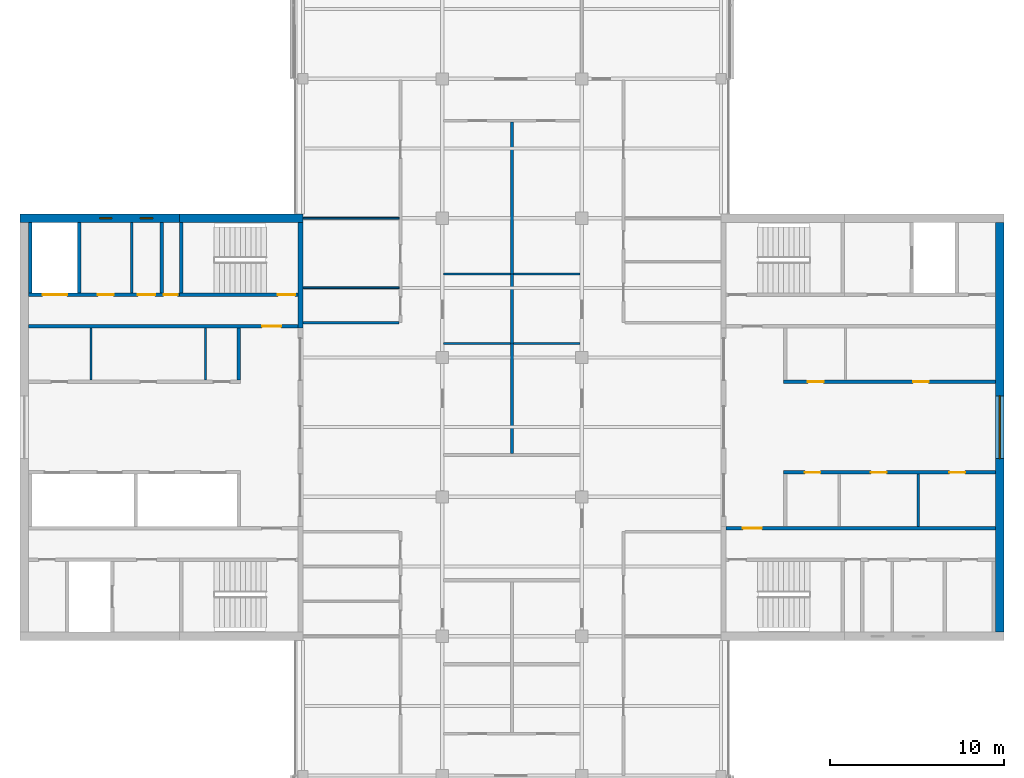
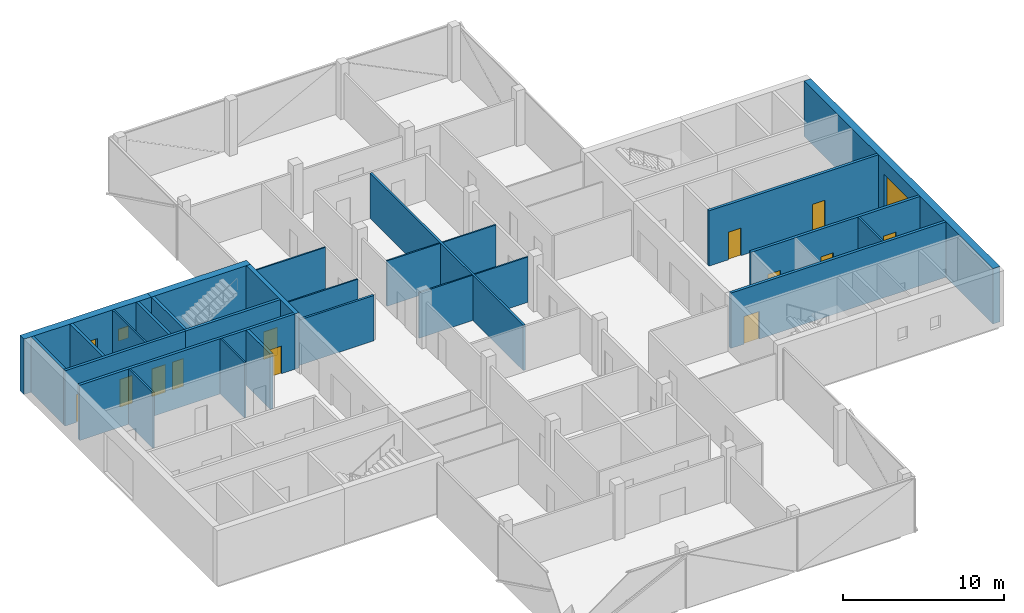
# One storey, part 11 of 16: 27 walls, 12 doors, 3 windows, 15 openings.
"""IFC4 building model written with IfcOpenShell, lengths in metres."""

from ifc_helpers import new_model, si_unit, direction, frame, frame_2d, origin, place, context, subcontext, project, spatial, rectangle, extrude, material, layer, layer_set, constituent, constituent_set, type_object, element, fill, save


model = new_model("IFC4")

# Units and contexts
model_context = context("Model", 3, precision=1e-05, world=origin(), true_north=direction((0.0, 1.0)))
body_context = subcontext(model_context, "Body", "Model", "MODEL_VIEW")
ifc_project = project(units=[si_unit("LENGTHUNIT", "METRE"), si_unit("AREAUNIT", "SQUARE_METRE"), si_unit("VOLUMEUNIT", "CUBIC_METRE"), si_unit("PLANEANGLEUNIT", "RADIAN"), si_unit("MASSUNIT", "GRAM", prefix="KILO")], contexts=[model_context])

# Site, building, storey
site_placement = place(None, origin())
site = spatial("IfcSite", under=ifc_project, at=site_placement, CompositionType="ELEMENT")
building_placement = place(site_placement, origin())
building = spatial("IfcBuilding", under=site, at=building_placement, Name="Crosswind Convention Tower", CompositionType="ELEMENT")
storey_placement = place(building_placement, frame((0.0, 0.0, 270.300048828125)))
storey = spatial("IfcBuildingStorey", under=building, at=storey_placement, Name="L58", CompositionType="ELEMENT", Elevation=270.300048828125)

# Walls
ifc_material_1 = material(Name="Concrete blockwork", Category="masonry")
ifc_layer_1 = layer(ifc_material_1, 0.199951171875)
ifc_layer_set_1 = layer_set([ifc_layer_1], Name="Blockwork partition wall 200")
wall_type_1 = type_object("IfcWallType", Name="Blockwork partition wall 200", PredefinedType="PARTITIONING", material=ifc_layer_set_1)
wall_1_placement = place(storey_placement, frame((104.89990234375, 111.75, 0.0), z_axis=(0.0, 0.0, 1.0), x_axis=(0.0, -1.0, 0.0)))
element("IfcWall", 1, at=wall_1_placement, inside=storey, type_object=wall_type_1, Name="Wall MRSE W L58", PredefinedType="PARTITIONING", context=body_context, shape_type="SweptSolid", body=[
    extrude(rectangle(XDim=4.050048828125, YDim=0.199951171875, at=frame_2d((2.02490234375, 0.0))), origin(), (0.0, 0.0, 1.0), 4.199951171875),
])
ifc_material_2 = material(Name="Concrete C50/60", Category="concrete")
ifc_layer_2 = layer(ifc_material_2, 0.300048828125)
ifc_layer_set_2 = layer_set([ifc_layer_2], Name="Concrete C50/60")
wall_type_2 = type_object("IfcWallType", Name="Concrete inner core wall 300", PredefinedType="SHEAR", material=ifc_layer_set_2)
wall_2_placement = place(storey_placement, frame((112.85009765625, 111.75, 0.0), z_axis=(0.0, 0.0, 1.0), x_axis=(0.0, -1.0, 0.0)))
element("IfcWall", 2, at=wall_2_placement, inside=storey, type_object=wall_type_2, Name="Wall EM W L58", PredefinedType="SHEAR", context=body_context, shape_type="SweptSolid", body=[
    extrude(rectangle(XDim=6.050048828125, YDim=0.300048828125, at=frame_2d((3.02490234375, 0.0))), origin(), (0.0, 0.0, 1.0), 4.199951171875),
])

# Wall, openings, doors
ifc_layer_3 = layer(ifc_material_2, 0.199951171875)
ifc_layer_set_3 = layer_set([ifc_layer_3], Name="Concrete C50/60")
wall_type_3 = type_object("IfcWallType", Name="Concrete shaft and stair wall 200", PredefinedType="SHEAR", material=ifc_layer_set_3)
wall_3_placement = place(storey_placement, frame((140.60009765625, 102.60009765625, 0.0), z_axis=(0.0, 0.0, 1.0), x_axis=(1.0, 0.0, 0.0)))
wall_3 = element("IfcWall", 3, at=wall_3_placement, inside=storey, type_object=wall_type_3, Name="Wall RPFRONT E L58", PredefinedType="SHEAR", context=body_context, shape_type="SweptSolid", body=[
    extrude(rectangle(XDim=12.14990234375, YDim=0.199951171875, at=frame_2d((6.074951171875, 0.0))), origin(), (0.0, 0.0, 1.0), 4.199951171875),
])
opening_1_placement = place(wall_3_placement, frame((1.391845703125, 0.0, 0.0)))
opening_1 = element("IfcOpeningElement", 4, at=opening_1_placement, cuts=wall_3, Name="Opening D106", PredefinedType="OPENING", context=body_context, shape_type="SweptSolid", body=[
    extrude(rectangle(XDim=0.89990234375, YDim=2.10009765625, at=frame_2d((0.449951171875, 1.050048828125))), frame((0.0, 0.10986328125, 0.0), z_axis=(0.0, -1.0, 0.0), x_axis=(1.0, 0.0, 0.0)), (0.0, 0.0, 1.0), 0.219970703125),
])
opening_2_placement = place(wall_3_placement, frame((7.42919921875, 0.0, 0.0)))
opening_2 = element("IfcOpeningElement", 5, at=opening_2_placement, cuts=wall_3, Name="Opening D106", PredefinedType="OPENING", context=body_context, shape_type="SweptSolid", body=[
    extrude(rectangle(XDim=0.89990234375, YDim=2.10009765625, at=frame_2d((0.449951171875, 1.050048828125))), frame((0.0, 0.10986328125, 0.0), z_axis=(0.0, -1.0, 0.0), x_axis=(1.0, 0.0, 0.0)), (0.0, 0.0, 1.0), 0.219970703125),
])
ifc_material_3 = material(Name="Timber door", Category="wood")
door_type_1 = type_object("IfcDoorType", Name="Single leaf door 900x2100", OperationType="NOTDEFINED", PredefinedType="DOOR", material=ifc_material_3)
door_1_placement = place(opening_1_placement, origin())
door_1 = element("IfcDoor", 6, at=door_1_placement, inside=storey, type_object=door_type_1, Name="Door to tenant services room L58", ObjectType="D106", OperationType="SINGLE_SWING_RIGHT", OverallHeight=2.10009765625, OverallWidth=0.89990234375, PredefinedType="DOOR", context=body_context, shape_type="SweptSolid", body=[
    extrude(rectangle(XDim=0.89990234375, YDim=2.10009765625, at=frame_2d((0.449951171875, 1.050048828125))), frame((0.0, 0.02490234375, 0.0), z_axis=(0.0, -1.0, 0.0), x_axis=(1.0, 0.0, 0.0)), (0.0, 0.0, 1.0), 0.050048828125),
])
fill(opening_1, door_1)
door_2_placement = place(opening_2_placement, origin())
door_2 = element("IfcDoor", 7, at=door_2_placement, inside=storey, type_object=door_type_1, Name="Door to copy and print room L58", ObjectType="D106", OperationType="SINGLE_SWING_RIGHT", OverallHeight=2.10009765625, OverallWidth=0.89990234375, PredefinedType="DOOR", context=body_context, shape_type="SweptSolid", body=[
    extrude(rectangle(XDim=0.89990234375, YDim=2.10009765625, at=frame_2d((0.449951171875, 1.050048828125))), frame((0.0, 0.02490234375, 0.0), z_axis=(0.0, -1.0, 0.0), x_axis=(1.0, 0.0, 0.0)), (0.0, 0.0, 1.0), 0.050048828125),
])
fill(opening_2, door_2)

wall_4_placement = place(storey_placement, frame((140.60009765625, 97.39990234375, 0.0), z_axis=(0.0, 0.0, 1.0), x_axis=(1.0, 0.0, 0.0)))
wall_4 = element("IfcWall", 8, at=wall_4_placement, inside=storey, type_object=wall_type_3, Name="Wall RMFRONT E L58", PredefinedType="SHEAR", context=body_context, shape_type="SweptSolid", body=[
    extrude(rectangle(XDim=12.14990234375, YDim=0.199951171875, at=frame_2d((6.074951171875, 0.0))), origin(), (0.0, 0.0, 1.0), 4.199951171875),
])
opening_3_placement = place(wall_4_placement, frame((1.21240234375, 0.0, 0.0)))
opening_3 = element("IfcOpeningElement", 9, at=opening_3_placement, cuts=wall_4, Name="Opening D106", PredefinedType="OPENING", context=body_context, shape_type="SweptSolid", body=[
    extrude(rectangle(XDim=0.89990234375, YDim=2.10009765625, at=frame_2d((0.449951171875, 1.050048828125))), frame((0.0, 0.10986328125, 0.0), z_axis=(0.0, -1.0, 0.0), x_axis=(1.0, 0.0, 0.0)), (0.0, 0.0, 1.0), 0.219970703125),
])
opening_4_placement = place(wall_4_placement, frame((5.008056640625, 0.0, 0.0)))
opening_4 = element("IfcOpeningElement", 10, at=opening_4_placement, cuts=wall_4, Name="Opening D106", PredefinedType="OPENING", context=body_context, shape_type="SweptSolid", body=[
    extrude(rectangle(XDim=0.89990234375, YDim=2.10009765625, at=frame_2d((0.449951171875, 1.050048828125))), frame((0.0, 0.10986328125, 0.0), z_axis=(0.0, -1.0, 0.0), x_axis=(1.0, 0.0, 0.0)), (0.0, 0.0, 1.0), 0.219970703125),
])
opening_5_placement = place(wall_4_placement, frame((9.5205078125, 0.0, 0.0)))
opening_5 = element("IfcOpeningElement", 11, at=opening_5_placement, cuts=wall_4, Name="Opening D106", PredefinedType="OPENING", context=body_context, shape_type="SweptSolid", body=[
    extrude(rectangle(XDim=0.89990234375, YDim=2.10009765625, at=frame_2d((0.449951171875, 1.050048828125))), frame((0.0, 0.10986328125, 0.0), z_axis=(0.0, -1.0, 0.0), x_axis=(1.0, 0.0, 0.0)), (0.0, 0.0, 1.0), 0.219970703125),
])
door_3_placement = place(opening_3_placement, frame((0.89990234375, 0.0, 0.0), z_axis=(0.0, 0.0, 1.0), x_axis=(-1.0, 0.0, 0.0)))
door_3 = element("IfcDoor", 12, at=door_3_placement, inside=storey, type_object=door_type_1, Name="Door to copy and print room L58", ObjectType="D106", OperationType="SINGLE_SWING_LEFT", OverallHeight=2.10009765625, OverallWidth=0.89990234375, PredefinedType="DOOR", context=body_context, shape_type="SweptSolid", body=[
    extrude(rectangle(XDim=0.89990234375, YDim=2.10009765625, at=frame_2d((0.449951171875, 1.050048828125))), frame((0.0, 0.02490234375, 0.0), z_axis=(0.0, -1.0, 0.0), x_axis=(1.0, 0.0, 0.0)), (0.0, 0.0, 1.0), 0.050048828125),
])
fill(opening_3, door_3)
door_4_placement = place(opening_4_placement, frame((0.89990234375, 0.0, 0.0), z_axis=(0.0, 0.0, 1.0), x_axis=(-1.0, 0.0, 0.0)))
door_4 = element("IfcDoor", 13, at=door_4_placement, inside=storey, type_object=door_type_1, Name="Door to meeting room L58", ObjectType="D106", OperationType="SINGLE_SWING_LEFT", OverallHeight=2.10009765625, OverallWidth=0.89990234375, PredefinedType="DOOR", context=body_context, shape_type="SweptSolid", body=[
    extrude(rectangle(XDim=0.89990234375, YDim=2.10009765625, at=frame_2d((0.449951171875, 1.050048828125))), frame((0.0, 0.02490234375, 0.0), z_axis=(0.0, -1.0, 0.0), x_axis=(1.0, 0.0, 0.0)), (0.0, 0.0, 1.0), 0.050048828125),
])
fill(opening_4, door_4)
door_5_placement = place(opening_5_placement, frame((0.89990234375, 0.0, 0.0), z_axis=(0.0, 0.0, 1.0), x_axis=(-1.0, 0.0, 0.0)))
door_5 = element("IfcDoor", 14, at=door_5_placement, inside=storey, type_object=door_type_1, Name="Door to pantry L58", ObjectType="D106", OperationType="SINGLE_SWING_LEFT", OverallHeight=2.10009765625, OverallWidth=0.89990234375, PredefinedType="DOOR", context=body_context, shape_type="SweptSolid", body=[
    extrude(rectangle(XDim=0.89990234375, YDim=2.10009765625, at=frame_2d((0.449951171875, 1.050048828125))), frame((0.0, 0.02490234375, 0.0), z_axis=(0.0, -1.0, 0.0), x_axis=(1.0, 0.0, 0.0)), (0.0, 0.0, 1.0), 0.050048828125),
])
fill(opening_5, door_5)

# Wall, opening, door
wall_5_placement = place(storey_placement, frame((137.300048828125, 94.199951171875, 0.0), z_axis=(0.0, 0.0, 1.0), x_axis=(1.0, 0.0, 0.0)))
wall_5 = element("IfcWall", 15, at=wall_5_placement, inside=storey, type_object=wall_type_3, Name="Wall HM E L58", PredefinedType="SHEAR", context=body_context, shape_type="SweptSolid", body=[
    extrude(rectangle(XDim=15.449951171875, YDim=0.199951171875, at=frame_2d((7.72509765625, 0.0))), origin(), (0.0, 0.0, 1.0), 4.199951171875),
])
opening_6_placement = place(wall_5_placement, frame((0.949951171875, 0.0, 0.0)))
opening_6 = element("IfcOpeningElement", 16, at=opening_6_placement, cuts=wall_5, Name="Opening D104", PredefinedType="OPENING", context=body_context, shape_type="SweptSolid", body=[
    extrude(rectangle(XDim=1.10009765625, YDim=2.10009765625, at=frame_2d((0.550048828125, 1.050048828125))), frame((0.0, 0.10986328125, 0.0), z_axis=(0.0, -1.0, 0.0), x_axis=(1.0, 0.0, 0.0)), (0.0, 0.0, 1.0), 0.219970703125),
])
ifc_material_4 = material(Name="Steel fire door", Category="steel")
door_type_2 = type_object("IfcDoorType", Name="Fire-rated single door 1100x2100", OperationType="NOTDEFINED", PredefinedType="DOOR", material=ifc_material_4)
door_6_placement = place(opening_6_placement, origin())
door_6 = element("IfcDoor", 17, at=door_6_placement, inside=storey, type_object=door_type_2, Name="Corridor door L58", ObjectType="D104", OperationType="SINGLE_SWING_LEFT", OverallHeight=2.10009765625, OverallWidth=1.10009765625, PredefinedType="DOOR", context=body_context, shape_type="SweptSolid", body=[
    extrude(rectangle(XDim=1.10009765625, YDim=2.10009765625, at=frame_2d((0.550048828125, 1.050048828125))), frame((0.0, 0.02490234375, 0.0), z_axis=(0.0, -1.0, 0.0), x_axis=(1.0, 0.0, 0.0)), (0.0, 0.0, 1.0), 0.050048828125),
])
fill(opening_6, door_6)

# Wall
wall_6_placement = place(storey_placement, frame((109.300048828125, 105.699951171875, 0.0), z_axis=(0.0, 0.0, 1.0), x_axis=(0.0, -1.0, 0.0)))
element("IfcWall", 18, at=wall_6_placement, inside=storey, type_object=wall_type_3, Name="Wall RMEND W L58", PredefinedType="SHEAR", context=body_context, shape_type="SweptSolid", body=[
    extrude(rectangle(XDim=3.0, YDim=0.199951171875, at=frame_2d((1.5, 0.0))), origin(), (0.0, 0.0, 1.0), 4.199951171875),
])

# Wall, opening, door
wall_7_placement = place(storey_placement, frame((112.699951171875, 105.800048828125, 0.0), z_axis=(0.0, 0.0, 1.0), x_axis=(-1.0, 0.0, 0.0)))
wall_7 = element("IfcWall", 19, at=wall_7_placement, inside=storey, type_object=wall_type_3, Name="Wall HM W L58", PredefinedType="SHEAR", context=body_context, shape_type="SweptSolid", body=[
    extrude(rectangle(XDim=15.449951171875, YDim=0.199951171875, at=frame_2d((7.72509765625, 0.0))), origin(), (0.0, 0.0, 1.0), 4.199951171875),
])
opening_7_placement = place(wall_7_placement, frame((0.949951171875, 0.0, 0.0)))
opening_7 = element("IfcOpeningElement", 20, at=opening_7_placement, cuts=wall_7, Name="Opening D104", PredefinedType="OPENING", context=body_context, shape_type="SweptSolid", body=[
    extrude(rectangle(XDim=1.10009765625, YDim=2.10009765625, at=frame_2d((0.550048828125, 1.050048828125))), frame((0.0, 0.10986328125, 0.0), z_axis=(0.0, -1.0, 0.0), x_axis=(1.0, 0.0, 0.0)), (0.0, 0.0, 1.0), 0.219970703125),
])
door_7_placement = place(opening_7_placement, origin())
door_7 = element("IfcDoor", 21, at=door_7_placement, inside=storey, type_object=door_type_2, Name="Corridor door L58", ObjectType="D104", OperationType="SINGLE_SWING_LEFT", OverallHeight=2.10009765625, OverallWidth=1.10009765625, PredefinedType="DOOR", context=body_context, shape_type="SweptSolid", body=[
    extrude(rectangle(XDim=1.10009765625, YDim=2.10009765625, at=frame_2d((0.550048828125, 1.050048828125))), frame((0.0, 0.02490234375, 0.0), z_axis=(0.0, -1.0, 0.0), x_axis=(1.0, 0.0, 0.0)), (0.0, 0.0, 1.0), 0.050048828125),
])
fill(opening_7, door_7)

# Walls
for number, where, z_axis, x_axis, name in (
    (22, (106.0, 111.75, 0.0), (0.0, 0.0, 1.0), (0.0, -1.0, 0.0), "Wall MSE W L58"),
    (23, (100.14990234375, 111.75, 0.0), (0.0, 0.0, 1.0), (0.0, -1.0, 0.0), "Wall MFSW W L58"),
    (24, (97.35009765625, 111.75, 0.0), (0.0, 0.0, 1.0), (0.0, -1.0, 0.0), "Wall MFSE W L58"),
):
    element("IfcWall", number, at=place(storey_placement, frame(where, z_axis=z_axis, x_axis=x_axis)), inside=storey, type_object=wall_type_3, Name=name, PredefinedType="SHEAR", context=body_context, shape_type="SweptSolid", body=[
        extrude(rectangle(XDim=4.050048828125, YDim=0.199951171875, at=frame_2d((2.02490234375, 0.0))), origin(), (0.0, 0.0, 1.0), 4.199951171875),
    ])

# Wall, opening, door
wall_8_placement = place(storey_placement, frame((112.699951171875, 107.60009765625, 0.0), z_axis=(0.0, 0.0, 1.0), x_axis=(-1.0, 0.0, 0.0)))
wall_8 = element("IfcWall", 25, at=wall_8_placement, inside=storey, type_object=wall_type_3, Name="Wall MCW W L58", PredefinedType="SHEAR", context=body_context, shape_type="SweptSolid", body=[
    extrude(rectangle(XDim=6.800048828125, YDim=0.199951171875, at=frame_2d((3.39990234375, 0.0))), origin(), (0.0, 0.0, 1.0), 4.199951171875),
])
opening_8_placement = place(wall_8_placement, frame((0.14990234375, 0.0, 0.0)))
opening_8 = element("IfcOpeningElement", 26, at=opening_8_placement, cuts=wall_8, Name="Opening D103", PredefinedType="OPENING", context=body_context, shape_type="SweptSolid", body=[
    extrude(rectangle(XDim=1.0, YDim=2.10009765625, at=frame_2d((0.5, 1.050048828125))), frame((0.0, 0.10986328125, 0.0), z_axis=(0.0, -1.0, 0.0), x_axis=(1.0, 0.0, 0.0)), (0.0, 0.0, 1.0), 0.219970703125),
])
door_type_3 = type_object("IfcDoorType", Name="Fire-rated single door 1000x2100", OperationType="NOTDEFINED", PredefinedType="DOOR", material=ifc_material_4)
door_8_placement = place(opening_8_placement, frame((1.0, 0.0, 0.0), z_axis=(0.0, 0.0, 1.0), x_axis=(-1.0, 0.0, 0.0)))
door_8 = element("IfcDoor", 27, at=door_8_placement, inside=storey, type_object=door_type_3, Name="Stair ST4 door L58", ObjectType="D103", OperationType="SINGLE_SWING_RIGHT", OverallHeight=2.10009765625, OverallWidth=1.0, PredefinedType="DOOR", context=body_context, shape_type="SweptSolid", body=[
    extrude(rectangle(XDim=1.0, YDim=2.10009765625, at=frame_2d((0.5, 1.050048828125))), frame((0.0, 0.02490234375, 0.0), z_axis=(0.0, -1.0, 0.0), x_axis=(1.0, 0.0, 0.0)), (0.0, 0.0, 1.0), 0.050048828125),
])
fill(opening_8, door_8)

# Wall, openings, doors
wall_9_placement = place(storey_placement, frame((105.89990234375, 107.60009765625, 0.0), z_axis=(0.0, 0.0, 1.0), x_axis=(-1.0, 0.0, 0.0)))
wall_9 = element("IfcWall", 28, at=wall_9_placement, inside=storey, type_object=wall_type_3, Name="Wall MCX W L58", PredefinedType="SHEAR", context=body_context, shape_type="SweptSolid", body=[
    extrude(rectangle(XDim=8.64990234375, YDim=0.199951171875, at=frame_2d((4.324951171875, 0.0))), origin(), (0.0, 0.0, 1.0), 4.199951171875),
])
opening_9_placement = place(wall_9_placement, frame((0.10009765625, 0.0, 0.0)))
opening_9 = element("IfcOpeningElement", 29, at=opening_9_placement, cuts=wall_9, Name="Opening D105", PredefinedType="OPENING", context=body_context, shape_type="SweptSolid", body=[
    extrude(rectangle(XDim=0.800048828125, YDim=2.10009765625, at=frame_2d((0.39990234375, 1.050048828125))), frame((0.0, 0.10986328125, 0.0), z_axis=(0.0, -1.0, 0.0), x_axis=(1.0, 0.0, 0.0)), (0.0, 0.0, 1.0), 0.219970703125),
])
opening_10_placement = place(wall_9_placement, frame((1.3876953125, 0.0, 0.0)))
opening_10 = element("IfcOpeningElement", 30, at=opening_10_placement, cuts=wall_9, Name="Opening D103", PredefinedType="OPENING", context=body_context, shape_type="SweptSolid", body=[
    extrude(rectangle(XDim=1.0, YDim=2.10009765625, at=frame_2d((0.5, 1.050048828125))), frame((0.0, 0.10986328125, 0.0), z_axis=(0.0, -1.0, 0.0), x_axis=(1.0, 0.0, 0.0)), (0.0, 0.0, 1.0), 0.219970703125),
])
opening_11_placement = place(wall_9_placement, frame((3.775146484375, 0.0, 0.0)))
opening_11 = element("IfcOpeningElement", 31, at=opening_11_placement, cuts=wall_9, Name="Opening D106", PredefinedType="OPENING", context=body_context, shape_type="SweptSolid", body=[
    extrude(rectangle(XDim=0.89990234375, YDim=2.10009765625, at=frame_2d((0.449951171875, 1.050048828125))), frame((0.0, 0.10986328125, 0.0), z_axis=(0.0, -1.0, 0.0), x_axis=(1.0, 0.0, 0.0)), (0.0, 0.0, 1.0), 0.219970703125),
])
opening_12_placement = place(wall_9_placement, frame((6.449951171875, 0.0, 0.0)))
opening_12 = element("IfcOpeningElement", 32, at=opening_12_placement, cuts=wall_9, Name="Opening LD2", PredefinedType="OPENING", context=body_context, shape_type="SweptSolid", body=[
    extrude(rectangle(XDim=1.39990234375, YDim=2.10009765625, at=frame_2d((0.699951171875, 1.050048828125))), frame((0.0, 0.10986328125, 0.0), z_axis=(0.0, -1.0, 0.0), x_axis=(1.0, 0.0, 0.0)), (0.0, 0.0, 1.0), 0.219970703125),
])
door_9_placement = place(opening_10_placement, frame((1.0, 0.0, 0.0), z_axis=(0.0, 0.0, 1.0), x_axis=(-1.0, 0.0, 0.0)))
door_9 = element("IfcDoor", 33, at=door_9_placement, inside=storey, type_object=door_type_3, Name="Door to accessible wc L58", ObjectType="D103", OperationType="SINGLE_SWING_LEFT", OverallHeight=2.10009765625, OverallWidth=1.0, PredefinedType="DOOR", context=body_context, shape_type="SweptSolid", body=[
    extrude(rectangle(XDim=1.0, YDim=2.10009765625, at=frame_2d((0.5, 1.050048828125))), frame((0.0, 0.02490234375, 0.0), z_axis=(0.0, -1.0, 0.0), x_axis=(1.0, 0.0, 0.0)), (0.0, 0.0, 1.0), 0.050048828125),
])
fill(opening_10, door_9)
ifc_material_5 = material(Name="Stainless steel", Category="steel")
door_type_4 = type_object("IfcDoorType", Name="Lift landing door 1400x2100", OperationType="DOUBLE_DOOR_SLIDING", PredefinedType="DOOR", material=ifc_material_5)
door_10_placement = place(opening_12_placement, origin())
door_10 = element("IfcDoor", 34, at=door_10_placement, inside=storey, type_object=door_type_4, Name="Landing door SV2 L58", ObjectType="LD2", OperationType="DOUBLE_DOOR_SLIDING", OverallHeight=2.10009765625, OverallWidth=1.39990234375, PredefinedType="DOOR", context=body_context, shape_type="SweptSolid", body=[
    extrude(rectangle(XDim=1.39990234375, YDim=2.10009765625, at=frame_2d((0.699951171875, 1.050048828125))), frame((0.0, 0.02490234375, 0.0), z_axis=(0.0, -1.0, 0.0), x_axis=(1.0, 0.0, 0.0)), (0.0, 0.0, 1.0), 0.050048828125),
])
fill(opening_12, door_10)
door_type_5 = type_object("IfcDoorType", Name="Riser access door 800x2100", OperationType="NOTDEFINED", PredefinedType="DOOR", material=ifc_material_4)
door_11_placement = place(opening_9_placement, frame((0.800048828125, 0.0, 0.0), z_axis=(0.0, 0.0, 1.0), x_axis=(-1.0, 0.0, 0.0)))
door_11 = element("IfcDoor", 35, at=door_11_placement, inside=storey, type_object=door_type_5, Name="Riser door L58", ObjectType="D105", OperationType="SINGLE_SWING_LEFT", OverallHeight=2.10009765625, OverallWidth=0.800048828125, PredefinedType="DOOR", context=body_context, shape_type="SweptSolid", body=[
    extrude(rectangle(XDim=0.800048828125, YDim=2.10009765625, at=frame_2d((0.39990234375, 1.050048828125))), frame((0.0, 0.02490234375, 0.0), z_axis=(0.0, -1.0, 0.0), x_axis=(1.0, 0.0, 0.0)), (0.0, 0.0, 1.0), 0.050048828125),
])
fill(opening_9, door_11)
door_12_placement = place(opening_11_placement, frame((0.89990234375, 0.0, 0.0), z_axis=(0.0, 0.0, 1.0), x_axis=(-1.0, 0.0, 0.0)))
door_12 = element("IfcDoor", 36, at=door_12_placement, inside=storey, type_object=door_type_1, Name="Door to wc L58", ObjectType="D106", OperationType="SINGLE_SWING_LEFT", OverallHeight=2.10009765625, OverallWidth=0.89990234375, PredefinedType="DOOR", context=body_context, shape_type="SweptSolid", body=[
    extrude(rectangle(XDim=0.89990234375, YDim=2.10009765625, at=frame_2d((0.449951171875, 1.050048828125))), frame((0.0, 0.02490234375, 0.0), z_axis=(0.0, -1.0, 0.0), x_axis=(1.0, 0.0, 0.0)), (0.0, 0.0, 1.0), 0.050048828125),
])
fill(opening_11, door_12)

# Walls
ifc_material_6 = material(Name="Gypsum plasterboard partition", Category="gypsum")
ifc_layer_4 = layer(ifc_material_6, 0.125)
ifc_layer_set_4 = layer_set([ifc_layer_4], Name="Drywall partition wall 125")
wall_type_4 = type_object("IfcWallType", Name="Drywall partition wall 125", PredefinedType="PARTITIONING", material=ifc_layer_set_4)
for number, where, z_axis, x_axis, name in (
    (37, (148.32861328125, 94.300048828125, 0.0), (0.0, 0.0, 1.0), (0.0, 1.0, 0.0), "Wall RMP2 E L58"),
    (38, (107.407470703125, 105.699951171875, 0.0), (0.0, 0.0, 1.0), (0.0, -1.0, 0.0), "Wall RMP1 W L58"),
    (39, (100.8349609375, 105.699951171875, 0.0), (0.0, 0.0, 1.0), (0.0, -1.0, 0.0), "Wall RMP2 W L58"),
):
    element("IfcWall", number, at=place(storey_placement, frame(where, z_axis=z_axis, x_axis=x_axis)), inside=storey, type_object=wall_type_4, Name=name, PredefinedType="PARTITIONING", context=body_context, shape_type="SweptSolid", body=[
        extrude(rectangle(XDim=3.0, YDim=0.125, at=frame_2d((1.5, 0.0))), origin(), (0.0, 0.0, 1.0), 4.199951171875),
    ])
wall_10_placement = place(storey_placement, frame((103.162109375, 111.75, 0.0), z_axis=(0.0, 0.0, 1.0), x_axis=(0.0, -1.0, 0.0)))
element("IfcWall", 40, at=wall_10_placement, inside=storey, type_object=wall_type_4, Name="Wall MWP1 W L58", PredefinedType="PARTITIONING", context=body_context, shape_type="SweptSolid", body=[
    extrude(rectangle(XDim=4.050048828125, YDim=0.125, at=frame_2d((2.02490234375, 0.0))), origin(), (0.0, 0.0, 1.0), 4.199951171875),
])
ifc_material_7 = material(Name="Plasterboard partition", Category="gypsum")
ifc_layer_5 = layer(ifc_material_7, 0.10009765625)
ifc_layer_set_5 = layer_set([ifc_layer_5], Name="PARTITION 100 METAL STUD")
wall_type_5 = type_object("IfcWallType", Name="PARTITION 100 METAL STUD", PredefinedType="PARTITIONING", material=ifc_layer_set_5)
for number, where, z_axis, x_axis, name in (
    (41, (113.0, 108.0, 0.0), (0.0, 0.0, 1.0), (1.0, 0.0, 0.0), "Partition wall WT40"),
    (42, (113.0, 112.0, 0.0), (0.0, 0.0, 1.0), (1.0, 0.0, 0.0), "Partition wall WT40"),
):
    element("IfcWall", number, at=place(storey_placement, frame(where, z_axis=z_axis, x_axis=x_axis)), inside=storey, type_object=wall_type_5, Name=name, PredefinedType="PARTITIONING", context=body_context, shape_type="SweptSolid", body=[
        extrude(rectangle(XDim=5.52490234375, YDim=0.10009765625, at=frame_2d((2.762451171875, 0.0))), origin(), (0.0, 0.0, 1.0), 3.44287109375),
    ])
wall_11_placement = place(storey_placement, frame((121.074951171875, 104.800048828125, 0.0), z_axis=(0.0, 0.0, 1.0), x_axis=(1.0, 0.0, 0.0)))
element("IfcWall", 43, at=wall_11_placement, inside=storey, type_object=wall_type_5, Name="Partition wall WT40", PredefinedType="PARTITIONING", context=body_context, shape_type="SweptSolid", body=[
    extrude(rectangle(XDim=3.85009765625, YDim=0.10009765625, at=frame_2d((1.925048828125, 0.0))), origin(), (0.0, 0.0, 1.0), 3.44287109375),
])
wall_12_placement = place(storey_placement, frame((125.074951171875, 104.800048828125, 0.0), z_axis=(0.0, 0.0, 1.0), x_axis=(1.0, 0.0, 0.0)))
element("IfcWall", 44, at=wall_12_placement, inside=storey, type_object=wall_type_5, Name="Partition wall WT40", PredefinedType="PARTITIONING", context=body_context, shape_type="SweptSolid", body=[
    extrude(rectangle(XDim=3.824951171875, YDim=0.10009765625, at=frame_2d((1.91259765625, 0.0))), origin(), (0.0, 0.0, 1.0), 3.44287109375),
])
wall_13_placement = place(storey_placement, frame((121.074951171875, 108.800048828125, 0.0), z_axis=(0.0, 0.0, 1.0), x_axis=(1.0, 0.0, 0.0)))
element("IfcWall", 45, at=wall_13_placement, inside=storey, type_object=wall_type_5, Name="Partition wall WT40", PredefinedType="PARTITIONING", context=body_context, shape_type="SweptSolid", body=[
    extrude(rectangle(XDim=3.85009765625, YDim=0.10009765625, at=frame_2d((1.925048828125, 0.0))), origin(), (0.0, 0.0, 1.0), 3.44287109375),
])
wall_14_placement = place(storey_placement, frame((125.074951171875, 108.800048828125, 0.0), z_axis=(0.0, 0.0, 1.0), x_axis=(1.0, 0.0, 0.0)))
element("IfcWall", 46, at=wall_14_placement, inside=storey, type_object=wall_type_5, Name="Partition wall WT40", PredefinedType="PARTITIONING", context=body_context, shape_type="SweptSolid", body=[
    extrude(rectangle(XDim=3.824951171875, YDim=0.10009765625, at=frame_2d((1.91259765625, 0.0))), origin(), (0.0, 0.0, 1.0), 3.44287109375),
])
ifc_material_8 = material(Name="Fire-board partition with mineral wool", Category="gypsum")
ifc_layer_6 = layer(ifc_material_8, 0.14990234375)
ifc_layer_set_6 = layer_set([ifc_layer_6], Name="TENANCY WALL 150 TWO-HOUR BOARD")
wall_type_6 = type_object("IfcWallType", Name="TENANCY WALL 150 TWO-HOUR BOARD", PredefinedType="PARTITIONING", material=ifc_layer_set_6)
wall_15_placement = place(storey_placement, frame((125.0, 98.47509765625, 0.0), z_axis=(0.0, 0.0, 1.0), x_axis=(0.0, 1.0, 0.0)))
element("IfcWall", 47, at=wall_15_placement, inside=storey, type_object=wall_type_6, Name="Tenancy wall WT41", PredefinedType="PARTITIONING", context=body_context, shape_type="SweptSolid", body=[
    extrude(rectangle(XDim=19.0498046875, YDim=0.14990234375, at=frame_2d((9.52490234375, 0.0))), origin(), (0.0, 0.0, 1.0), 3.44287109375),
])
wall_16_placement = place(storey_placement, frame((113.0, 106.0, 0.0), z_axis=(0.0, 0.0, 1.0), x_axis=(1.0, 0.0, 0.0)))
element("IfcWall", 48, at=wall_16_placement, inside=storey, type_object=wall_type_6, Name="Tenancy wall WT41", PredefinedType="PARTITIONING", context=body_context, shape_type="SweptSolid", body=[
    extrude(rectangle(XDim=5.52490234375, YDim=0.14990234375, at=frame_2d((2.762451171875, 0.0))), origin(), (0.0, 0.0, 1.0), 3.44287109375),
])

# Wall, opening, window
ifc_material_9 = material(Name="Concrete C60/75", Category="concrete")
ifc_constituent_1 = constituent(ifc_material_9, Name="Structure")
ifc_material_10 = material(Name="Terracotta rainscreen", Category="ceramic")
ifc_constituent_2 = constituent(ifc_material_10, Name="Facing")
ifc_constituent_set = constituent_set(constituents=[ifc_constituent_1, ifc_constituent_2], Name="Concrete C60/75, Terracotta rainscreen")
wall_type_7 = type_object("IfcWallType", Name="Terracotta rainscreen on concrete core wall 500", PredefinedType="SHEAR", material=ifc_constituent_set)
wall_17_placement = place(storey_placement, frame((153.0, 88.25, 0.0), z_axis=(0.0, 0.0, 1.0), x_axis=(0.0, 1.0, 0.0)))
wall_17 = element("IfcWall", 49, at=wall_17_placement, inside=storey, type_object=wall_type_7, Name="Wall O E L58", PredefinedType="SHEAR", context=body_context, shape_type="SweptSolid", body=[
    extrude(rectangle(XDim=23.5, YDim=0.5, at=frame_2d((11.75, 0.0))), origin(), (0.0, 0.0, 1.0), 4.199951171875),
])
opening_13_placement = place(wall_17_placement, frame((9.949951171875, 0.0, 0.14990234375)))
opening_13 = element("IfcOpeningElement", 50, at=opening_13_placement, cuts=wall_17, Name="Opening W1", PredefinedType="OPENING", context=body_context, shape_type="SweptSolid", body=[
    extrude(rectangle(XDim=3.60009765625, YDim=3.0, at=frame_2d((1.800048828125, 1.5))), frame((0.0, 0.260009765625, 0.0), z_axis=(0.0, -1.0, 0.0), x_axis=(1.0, 0.0, 0.0)), (0.0, 0.0, 1.0), 0.52001953125),
])
ifc_material_11 = material(Name="Clear laminated glass in aluminium frame", Category="aluminium")
window_type_1 = type_object("IfcWindowType", Name="Lobby end window 3600x3000", PartitioningType="SINGLE_PANEL", PredefinedType="WINDOW", material=ifc_material_11)
window_1_placement = place(opening_13_placement, origin())
window_1 = element("IfcWindow", 51, at=window_1_placement, inside=storey, type_object=window_type_1, Name="Lobby end window L58", ObjectType="W1", OverallHeight=3.0, OverallWidth=3.60009765625, PartitioningType="SINGLE_PANEL", PredefinedType="WINDOW", context=body_context, shape_type="SweptSolid", body=[
    extrude(rectangle(XDim=3.60009765625, YDim=3.0, at=frame_2d((1.800048828125, 1.5))), frame((0.0, 0.030029296875, 0.0), z_axis=(0.0, -1.0, 0.0), x_axis=(1.0, 0.0, 0.0)), (0.0, 0.0, 1.0), 0.06005859375),
])
fill(opening_13, window_1)

# Wall
wall_18_placement = place(storey_placement, frame((113.0, 112.0, 0.0), z_axis=(0.0, 0.0, 1.0), x_axis=(-1.0, 0.0, 0.0)))
element("IfcWall", 52, at=wall_18_placement, inside=storey, type_object=wall_type_7, Name="Wall S1 W L58", PredefinedType="SHEAR", context=body_context, shape_type="SweptSolid", body=[
    extrude(rectangle(XDim=7.10009765625, YDim=0.5, at=frame_2d((3.550048828125, 0.0))), origin(), (0.0, 0.0, 1.0), 4.199951171875),
])

# Wall, openings, windows
wall_19_placement = place(storey_placement, frame((105.89990234375, 112.0, 0.0), z_axis=(0.0, 0.0, 1.0), x_axis=(-1.0, 0.0, 0.0)))
wall_19 = element("IfcWall", 53, at=wall_19_placement, inside=storey, type_object=wall_type_7, Name="Wall S2 W L58", PredefinedType="SHEAR", context=body_context, shape_type="SweptSolid", body=[
    extrude(rectangle(XDim=9.14990234375, YDim=0.5, at=frame_2d((4.574951171875, 0.0))), origin(), (0.0, 0.0, 1.0), 4.199951171875),
])
opening_14_placement = place(wall_19_placement, frame((1.537841796875, 0.0, 1.5)))
opening_14 = element("IfcOpeningElement", 54, at=opening_14_placement, cuts=wall_19, Name="Opening W2", PredefinedType="OPENING", context=body_context, shape_type="SweptSolid", body=[
    extrude(rectangle(XDim=0.699951171875, YDim=0.89990234375, at=frame_2d((0.35009765625, 0.449951171875))), frame((0.0, 0.260009765625, 0.0), z_axis=(0.0, -1.0, 0.0), x_axis=(1.0, 0.0, 0.0)), (0.0, 0.0, 1.0), 0.52001953125),
])
opening_15_placement = place(wall_19_placement, frame((3.875244140625, 0.0, 1.5)))
opening_15 = element("IfcOpeningElement", 55, at=opening_15_placement, cuts=wall_19, Name="Opening W2", PredefinedType="OPENING", context=body_context, shape_type="SweptSolid", body=[
    extrude(rectangle(XDim=0.699951171875, YDim=0.89990234375, at=frame_2d((0.35009765625, 0.449951171875))), frame((0.0, 0.260009765625, 0.0), z_axis=(0.0, -1.0, 0.0), x_axis=(1.0, 0.0, 0.0)), (0.0, 0.0, 1.0), 0.52001953125),
])
ifc_material_12 = material(Name="Obscure glass in aluminium frame", Category="aluminium")
window_type_2 = type_object("IfcWindowType", Name="WC window 700x900", PartitioningType="SINGLE_PANEL", PredefinedType="WINDOW", material=ifc_material_12)
window_2_placement = place(opening_14_placement, origin())
window_2 = element("IfcWindow", 56, at=window_2_placement, inside=storey, type_object=window_type_2, Name="WC window L58", ObjectType="W2", OverallHeight=0.89990234375, OverallWidth=0.699951171875, PartitioningType="SINGLE_PANEL", PredefinedType="WINDOW", context=body_context, shape_type="SweptSolid", body=[
    extrude(rectangle(XDim=0.699951171875, YDim=0.89990234375, at=frame_2d((0.35009765625, 0.449951171875))), frame((0.0, 0.030029296875, 0.0), z_axis=(0.0, -1.0, 0.0), x_axis=(1.0, 0.0, 0.0)), (0.0, 0.0, 1.0), 0.06005859375),
])
fill(opening_14, window_2)
window_3_placement = place(opening_15_placement, origin())
window_3 = element("IfcWindow", 57, at=window_3_placement, inside=storey, type_object=window_type_2, Name="WC window L58", ObjectType="W2", OverallHeight=0.89990234375, OverallWidth=0.699951171875, PartitioningType="SINGLE_PANEL", PredefinedType="WINDOW", context=body_context, shape_type="SweptSolid", body=[
    extrude(rectangle(XDim=0.699951171875, YDim=0.89990234375, at=frame_2d((0.35009765625, 0.449951171875))), frame((0.0, 0.030029296875, 0.0), z_axis=(0.0, -1.0, 0.0), x_axis=(1.0, 0.0, 0.0)), (0.0, 0.0, 1.0), 0.06005859375),
])
fill(opening_15, window_3)

save(model, "model.ifc")
